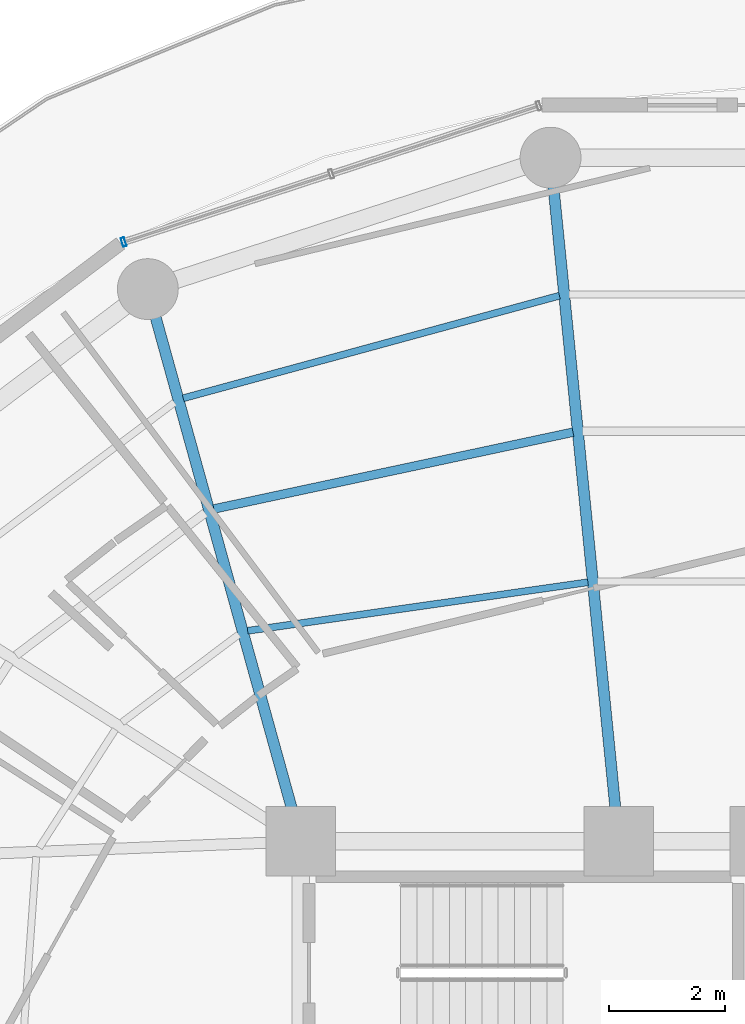
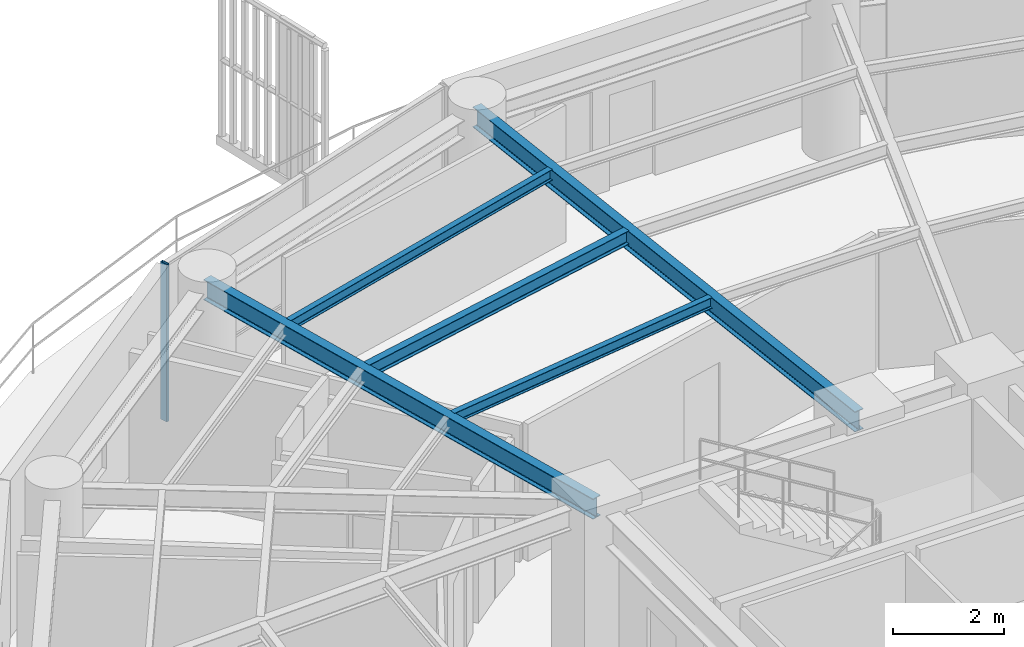
# One storey, part 17 of 30: 5 beams, 1 member, 1 element without a shape of its own.
"""IFC4 building model written with IfcOpenShell, lengths in metres."""

from ifc_helpers import new_model, si_unit, direction, frame, origin, origin_2d, place, context, subcontext, project, spatial, hollow_rectangle, i_section, extrude, material, layer, layer_set, material_profile, profile_set, type_object, element, aggregate, save


model = new_model("IFC4")

# Units and contexts
model_context = context("Model", 3, precision=1e-05, world=origin(), true_north=direction((0.0, 1.0)))
body_context = subcontext(model_context, "Body", "Model", "MODEL_VIEW")
ifc_project = project(units=[si_unit("LENGTHUNIT", "METRE"), si_unit("AREAUNIT", "SQUARE_METRE"), si_unit("VOLUMEUNIT", "CUBIC_METRE"), si_unit("PLANEANGLEUNIT", "RADIAN"), si_unit("MASSUNIT", "GRAM", prefix="KILO")], contexts=[model_context])

# Site, building, storey
site_placement = place(None, origin())
site = spatial("IfcSite", under=ifc_project, at=site_placement, CompositionType="ELEMENT")
building_placement = place(site_placement, origin())
building = spatial("IfcBuilding", under=site, at=building_placement, Name="Kelanora Arch Commons", CompositionType="ELEMENT")
storey_placement = place(building_placement, frame((0.0, 0.0, 215.699951171875)))
storey = spatial("IfcBuildingStorey", under=building, at=storey_placement, Name="L55", CompositionType="ELEMENT", Elevation=215.699951171875)

# Beams
ifc_material_1 = material(Name="Steel S355", Category="steel")
ifc_material_profile_1 = material_profile(ifc_material_1, i_section(OverallWidth=0.14990234375, OverallDepth=0.300048828125, WebThickness=0.007080078125, FlangeThickness=0.0107421875, FilletRadius=0.014892578125, at=origin_2d()), Name="IPE300")
ifc_profile_set_1 = profile_set([ifc_material_profile_1], Name="Steel S355")
beam_type_1 = type_object("IfcBeamType", Name="BM-JST-01", PredefinedType="JOIST", material=ifc_profile_set_1)
beam_1_placement = place(storey_placement, frame((70.69189453125, 72.056396484375, 3.340087890625), z_axis=(-0.977893715981, -0.209102559153, 0.0), x_axis=(0.209102559153, -0.977893715981, 0.0)))
element("IfcBeam", 1, at=beam_1_placement, inside=storey, type_object=beam_type_1, Name="Secondary Chord Joist BJB-10 L55", PredefinedType="JOIST", context=body_context, shape_type="SweptSolid", body=[
    extrude(i_section(OverallWidth=0.14990234375, OverallDepth=0.300048828125, WebThickness=0.007080078125, FlangeThickness=0.0107421875, FilletRadius=0.014892578125, at=origin_2d()), origin(), (0.0, 0.0, 1.0), 6.332763671875),
])
ifc_material_profile_2 = material_profile(ifc_material_1, i_section(OverallWidth=0.1201171875, OverallDepth=0.239990234375, WebThickness=0.006103515625, FlangeThickness=0.009765625, FilletRadius=0.014892578125, at=origin_2d()), Name="IPE240")
ifc_profile_set_2 = profile_set([ifc_material_profile_2], Name="Steel S355")
beam_type_2 = type_object("IfcBeamType", Name="BM-JST-02", PredefinedType="JOIST", material=ifc_profile_set_2)
beam_2_placement = place(storey_placement, frame((70.94921875, 69.46826171875, 3.3701171875), z_axis=(-0.989977480435, -0.141225310164, 0.0), x_axis=(0.141225310164, -0.989977480435, 0.0)))
element("IfcBeam", 2, at=beam_2_placement, inside=storey, type_object=beam_type_2, Name="Secondary Chord Joist BJA-10 L55", PredefinedType="JOIST", context=body_context, shape_type="SweptSolid", body=[
    extrude(i_section(OverallWidth=0.1201171875, OverallDepth=0.239990234375, WebThickness=0.006103515625, FlangeThickness=0.009765625, FilletRadius=0.014892578125, at=origin_2d()), origin(), (0.0, 0.0, 1.0), 5.927734375),
])
beam_3_placement = place(storey_placement, frame((70.457763671875, 74.40966796875, 3.3701171875), z_axis=(-0.964804863594, -0.262966870889, 0.0), x_axis=(0.262966870889, -0.964804863594, 0.0)))
element("IfcBeam", 3, at=beam_3_placement, inside=storey, type_object=beam_type_2, Name="Secondary Chord Joist BJC-10 L55", PredefinedType="JOIST", context=body_context, shape_type="SweptSolid", body=[
    extrude(i_section(OverallWidth=0.1201171875, OverallDepth=0.239990234375, WebThickness=0.006103515625, FlangeThickness=0.009765625, FilletRadius=0.014892578125, at=origin_2d()), origin(), (0.0, 0.0, 1.0), 6.724365234375),
])
ifc_material_profile_3 = material_profile(ifc_material_1, i_section(OverallWidth=0.18994140625, OverallDepth=0.449951171875, WebThickness=0.009521484375, FlangeThickness=0.0146484375, FilletRadius=0.02099609375, at=origin_2d()), Name="IPE450")
ifc_profile_set_3 = profile_set([ifc_material_profile_3], Name="Steel S355")
beam_type_3 = type_object("IfcBeamType", Name="BM-RAD-Z4", PredefinedType="BEAM", material=ifc_profile_set_3)
beam_4_placement = place(storey_placement, frame((71.47998046875, 65.0, 3.26513671875), z_axis=(-0.099193615558, 0.995068151753, 0.0), x_axis=(-0.995068151753, -0.099193615558, 0.0)))
element("IfcBeam", 4, at=beam_4_placement, inside=storey, type_object=beam_type_3, Name="Radial Floor Girder BR-10 L55", PredefinedType="BEAM", context=body_context, shape_type="SweptSolid", body=[
    extrude(i_section(OverallWidth=0.18994140625, OverallDepth=0.449951171875, WebThickness=0.009521484375, FlangeThickness=0.0146484375, FilletRadius=0.02099609375, at=origin_2d()), origin(), (0.0, 0.0, 1.0), 11.848388671875),
])
beam_5_placement = place(storey_placement, frame((66.0, 65.0, 3.26513671875), z_axis=(-0.267120164296, 0.963663228429, 0.0), x_axis=(-0.963663228429, -0.267120164296, 0.0)))
element("IfcBeam", 5, at=beam_5_placement, inside=storey, type_object=beam_type_3, Name="Radial Floor Girder BR-12 L55", PredefinedType="BEAM", context=body_context, shape_type="SweptSolid", body=[
    extrude(i_section(OverallWidth=0.18994140625, OverallDepth=0.449951171875, WebThickness=0.009521484375, FlangeThickness=0.0146484375, FilletRadius=0.02099609375, at=origin_2d()), origin(), (0.0, 0.0, 1.0), 9.8828125),
])

# Curtain wall, member
ifc_material_2 = material(Name="Terracotta ceramic-fritted low-E glass and aluminium", Category="masonry")
ifc_layer = layer(ifc_material_2, 0.175048828125)
ifc_layer_set = layer_set([ifc_layer], Name="Terracotta ceramic-fritted low-E glass and aluminium")
curtain_wall_type = type_object("IfcCurtainWallType", Name="CW-SYS-02", PredefinedType="NOTDEFINED", material=ifc_layer_set)
curtain_wall_placement = place(storey_placement, origin())
curtain_wall = element("IfcCurtainWall", 6, at=curtain_wall_placement, inside=storey, type_object=curtain_wall_type, Name="Unitised Curtain Wall L55-B05", PredefinedType="NOTDEFINED")
ifc_material_3 = material(Name="Powder-coated aluminium terracotta", Category="masonry")
ifc_material_profile_4 = material_profile(ifc_material_3, hollow_rectangle(XDim=0.159912109375, YDim=0.06005859375, WallThickness=0.0048828125, InnerFilletRadius=0.0048828125, OuterFilletRadius=0.010009765625, at=origin_2d()), Name="CWM160x60")
ifc_profile_set_4 = profile_set([ifc_material_profile_4], Name="Powder-coated aluminium terracotta")
member_type = type_object("IfcMemberType", Name="CWM-STD", PredefinedType="MULLION", material=ifc_profile_set_4)
member_placement = place(storey_placement, frame((62.94287109375, 75.33447265625, 0.0), z_axis=(0.0, 0.0, 1.0), x_axis=(0.311582439059, -0.950219124029, 0.0)))
member = element("IfcMember", 7, at=member_placement, type_object=member_type, Name="CW-02 mullion 3", PredefinedType="MULLION", context=body_context, shape_type="SweptSolid", body=[
    extrude(hollow_rectangle(XDim=0.159912109375, YDim=0.06005859375, WallThickness=0.0048828125, InnerFilletRadius=0.0048828125, OuterFilletRadius=0.010009765625, at=origin_2d()), origin(), (0.0, 0.0, 1.0), 3.47509765625),
])
aggregate(curtain_wall, [member])

save(model, "model.ifc")
